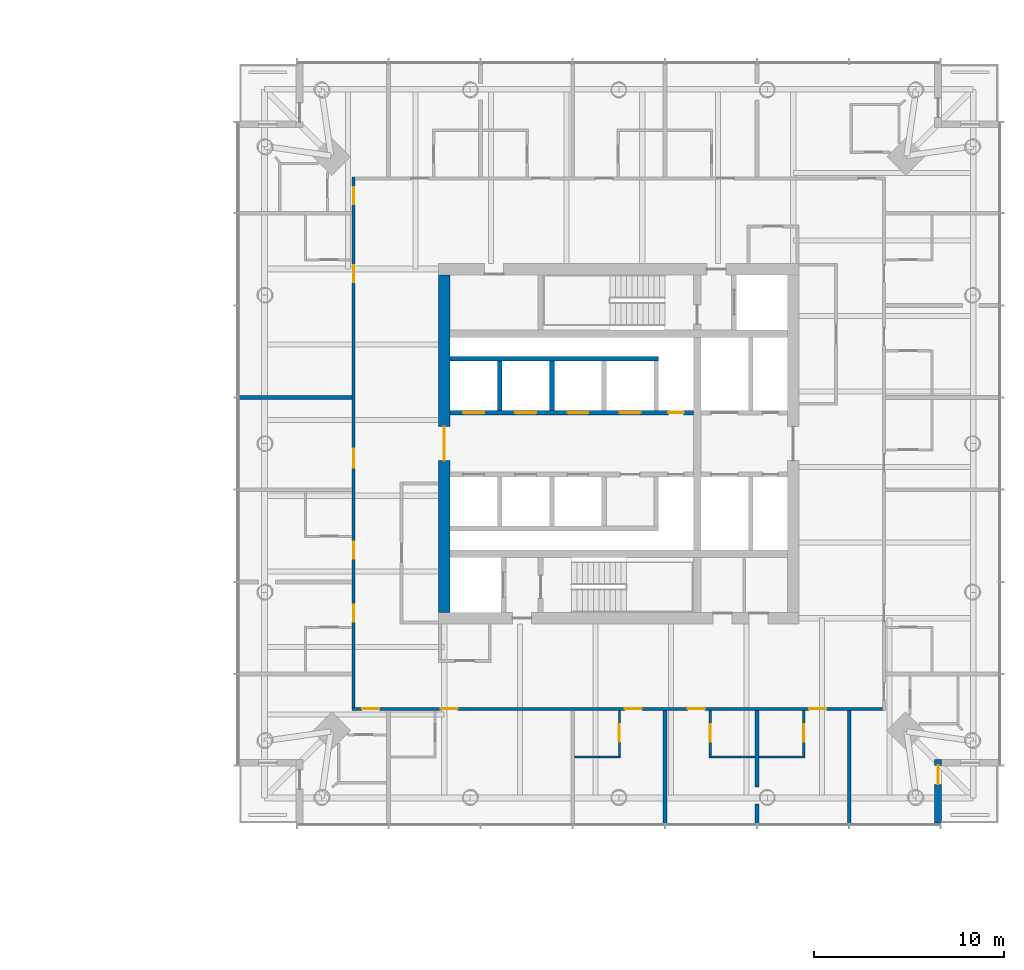
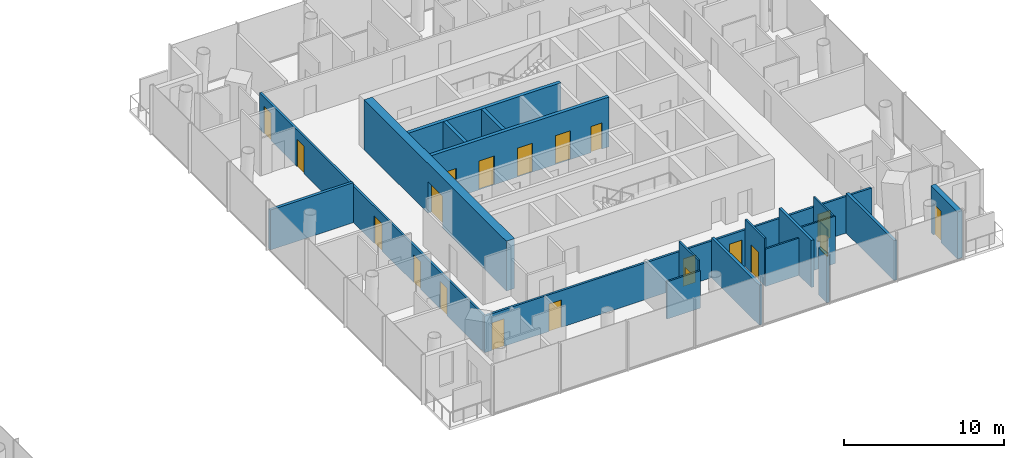
# One storey, part 14 of 20: 20 doors, 19 walls, 20 openings.
"""IFC4 building model written with IfcOpenShell, lengths in metres."""

from ifc_helpers import new_model, si_unit, direction, frame, frame_2d, origin, place, context, subcontext, project, spatial, rectangle, extrude, material, layer, layer_set, type_object, element, fill, save


model = new_model("IFC4")

# Units and contexts
model_context = context("Model", 3, precision=1e-05, world=origin(), true_north=direction((0.0, 1.0)))
body_context = subcontext(model_context, "Body", "Model", "MODEL_VIEW")
ifc_project = project(units=[si_unit("LENGTHUNIT", "METRE"), si_unit("AREAUNIT", "SQUARE_METRE"), si_unit("VOLUMEUNIT", "CUBIC_METRE"), si_unit("PLANEANGLEUNIT", "RADIAN"), si_unit("MASSUNIT", "GRAM", prefix="KILO")], contexts=[model_context])

# Site, building, storey
site_placement = place(None, origin())
site = spatial("IfcSite", under=ifc_project, at=site_placement, CompositionType="ELEMENT")
building_placement = place(site_placement, origin())
building = spatial("IfcBuilding", under=site, at=building_placement, Name="Ostroluk Exchange", CompositionType="ELEMENT")
storey_placement = place(building_placement, frame((0.0, 0.0, 28.60009765625)))
storey = spatial("IfcBuildingStorey", under=building, at=storey_placement, Name="L06", CompositionType="ELEMENT", Elevation=28.60009765625)

# Walls
ifc_material_1 = material(Name="Concrete C40/50", Category="concrete")
ifc_layer_1 = layer(ifc_material_1, 0.25)
ifc_layer_set_1 = layer_set([ifc_layer_1], Name="Core shaft wall 250")
wall_type_1 = type_object("IfcWallType", Name="Core shaft wall 250", PredefinedType="SHEAR", material=ifc_layer_set_1)
for number, where, z_axis, x_axis, name in (
    (1, (110.72509765625, 47.75, 0.0), (0.0, 0.0, 1.0), (0.0, 1.0, 0.0), "Lift shaft wall"),
    (2, (113.47509765625, 47.75, 0.0), (0.0, 0.0, 1.0), (0.0, 1.0, 0.0), "Lift shaft wall"),
):
    element("IfcWall", number, at=place(storey_placement, frame(where, z_axis=z_axis, x_axis=x_axis)), inside=storey, type_object=wall_type_1, Name=name, PredefinedType="SHEAR", context=body_context, shape_type="SweptSolid", body=[
        extrude(rectangle(XDim=2.60009765625, YDim=0.25, at=frame_2d((1.300048828125, 0.0))), origin(), (0.0, 0.0, 1.0), 3.7998046875),
    ])
wall_1_placement = place(storey_placement, frame((108.10009765625, 50.47509765625, 0.0), z_axis=(0.0, 0.0, 1.0), x_axis=(1.0, 0.0, 0.0)))
element("IfcWall", 3, at=wall_1_placement, inside=storey, type_object=wall_type_1, Name="Lift shaft wall", PredefinedType="SHEAR", context=body_context, shape_type="SweptSolid", body=[
    extrude(rectangle(XDim=11.0, YDim=0.25, at=frame_2d((5.5, 0.0))), origin(), (0.0, 0.0, 1.0), 3.7998046875),
])

# Wall, openings, doors
wall_2_placement = place(storey_placement, frame((108.10009765625, 47.625, 0.0), z_axis=(0.0, 0.0, 1.0), x_axis=(1.0, 0.0, 0.0)))
wall_2 = element("IfcWall", 4, at=wall_2_placement, inside=storey, type_object=wall_type_1, Name="Lift shaft front wall", PredefinedType="SHEAR", context=body_context, shape_type="SweptSolid", body=[
    extrude(rectangle(XDim=12.829833984375, YDim=0.25, at=frame_2d((6.4150390625, 0.0))), origin(), (0.0, 0.0, 1.0), 3.7998046875),
])
opening_1_placement = place(wall_2_placement, frame((0.699951171875, 0.0, 0.0)))
opening_1 = element("IfcOpeningElement", 5, at=opening_1_placement, cuts=wall_2, Name="Opening LD", PredefinedType="OPENING", context=body_context, shape_type="SweptSolid", body=[
    extrude(rectangle(XDim=1.10009765625, YDim=2.199951171875, at=frame_2d((0.550048828125, 1.10009765625))), frame((0.0, 0.135009765625, 0.0), z_axis=(0.0, -1.0, 0.0), x_axis=(1.0, 0.0, 0.0)), (0.0, 0.0, 1.0), 0.27001953125),
])
opening_2_placement = place(wall_2_placement, frame((3.449951171875, 0.0, 0.0)))
opening_2 = element("IfcOpeningElement", 6, at=opening_2_placement, cuts=wall_2, Name="Opening LD", PredefinedType="OPENING", context=body_context, shape_type="SweptSolid", body=[
    extrude(rectangle(XDim=1.10009765625, YDim=2.199951171875, at=frame_2d((0.550048828125, 1.10009765625))), frame((0.0, 0.135009765625, 0.0), z_axis=(0.0, -1.0, 0.0), x_axis=(1.0, 0.0, 0.0)), (0.0, 0.0, 1.0), 0.27001953125),
])
opening_3_placement = place(wall_2_placement, frame((6.199951171875, 0.0, 0.0)))
opening_3 = element("IfcOpeningElement", 7, at=opening_3_placement, cuts=wall_2, Name="Opening LD", PredefinedType="OPENING", context=body_context, shape_type="SweptSolid", body=[
    extrude(rectangle(XDim=1.10009765625, YDim=2.199951171875, at=frame_2d((0.550048828125, 1.10009765625))), frame((0.0, 0.135009765625, 0.0), z_axis=(0.0, -1.0, 0.0), x_axis=(1.0, 0.0, 0.0)), (0.0, 0.0, 1.0), 0.27001953125),
])
opening_4_placement = place(wall_2_placement, frame((8.949951171875, 0.0, 0.0)))
opening_4 = element("IfcOpeningElement", 8, at=opening_4_placement, cuts=wall_2, Name="Opening LD", PredefinedType="OPENING", context=body_context, shape_type="SweptSolid", body=[
    extrude(rectangle(XDim=1.10009765625, YDim=2.199951171875, at=frame_2d((0.550048828125, 1.10009765625))), frame((0.0, 0.135009765625, 0.0), z_axis=(0.0, -1.0, 0.0), x_axis=(1.0, 0.0, 0.0)), (0.0, 0.0, 1.0), 0.27001953125),
])
opening_5_placement = place(wall_2_placement, frame((11.514892578125, 0.0, 0.0)))
opening_5 = element("IfcOpeningElement", 9, at=opening_5_placement, cuts=wall_2, Name="Opening RD60", PredefinedType="OPENING", context=body_context, shape_type="SweptSolid", body=[
    extrude(rectangle(XDim=0.800048828125, YDim=2.0, at=frame_2d((0.39990234375, 1.0))), frame((0.0, 0.135009765625, 0.0), z_axis=(0.0, -1.0, 0.0), x_axis=(1.0, 0.0, 0.0)), (0.0, 0.0, 1.0), 0.27001953125),
])
ifc_material_2 = material(Name="Stainless steel", Category="steel")
door_type_1 = type_object("IfcDoorType", Name="Lift landing door E 60 1100 x 2200", OperationType="DOUBLE_DOOR_SLIDING", PredefinedType="DOOR", material=ifc_material_2)
door_1_placement = place(opening_1_placement, origin())
door_1 = element("IfcDoor", 10, at=door_1_placement, inside=storey, type_object=door_type_1, Name="Lift HL1 landing door", OperationType="DOUBLE_DOOR_SLIDING", OverallHeight=2.199951171875, OverallWidth=1.10009765625, PredefinedType="DOOR", context=body_context, shape_type="SweptSolid", body=[
    extrude(rectangle(XDim=1.10009765625, YDim=2.199951171875, at=frame_2d((0.550048828125, 1.10009765625))), frame((0.0, 0.02490234375, 0.0), z_axis=(0.0, -1.0, 0.0), x_axis=(1.0, 0.0, 0.0)), (0.0, 0.0, 1.0), 0.050048828125),
])
fill(opening_1, door_1)
door_2_placement = place(opening_2_placement, origin())
door_2 = element("IfcDoor", 11, at=door_2_placement, inside=storey, type_object=door_type_1, Name="Lift HL2 landing door", OperationType="DOUBLE_DOOR_SLIDING", OverallHeight=2.199951171875, OverallWidth=1.10009765625, PredefinedType="DOOR", context=body_context, shape_type="SweptSolid", body=[
    extrude(rectangle(XDim=1.10009765625, YDim=2.199951171875, at=frame_2d((0.550048828125, 1.10009765625))), frame((0.0, 0.02490234375, 0.0), z_axis=(0.0, -1.0, 0.0), x_axis=(1.0, 0.0, 0.0)), (0.0, 0.0, 1.0), 0.050048828125),
])
fill(opening_2, door_2)
door_3_placement = place(opening_3_placement, origin())
door_3 = element("IfcDoor", 12, at=door_3_placement, inside=storey, type_object=door_type_1, Name="Lift HL3 landing door", OperationType="DOUBLE_DOOR_SLIDING", OverallHeight=2.199951171875, OverallWidth=1.10009765625, PredefinedType="DOOR", context=body_context, shape_type="SweptSolid", body=[
    extrude(rectangle(XDim=1.10009765625, YDim=2.199951171875, at=frame_2d((0.550048828125, 1.10009765625))), frame((0.0, 0.02490234375, 0.0), z_axis=(0.0, -1.0, 0.0), x_axis=(1.0, 0.0, 0.0)), (0.0, 0.0, 1.0), 0.050048828125),
])
fill(opening_3, door_3)
door_4_placement = place(opening_4_placement, origin())
door_4 = element("IfcDoor", 13, at=door_4_placement, inside=storey, type_object=door_type_1, Name="Lift HL4 landing door", OperationType="DOUBLE_DOOR_SLIDING", OverallHeight=2.199951171875, OverallWidth=1.10009765625, PredefinedType="DOOR", context=body_context, shape_type="SweptSolid", body=[
    extrude(rectangle(XDim=1.10009765625, YDim=2.199951171875, at=frame_2d((0.550048828125, 1.10009765625))), frame((0.0, 0.02490234375, 0.0), z_axis=(0.0, -1.0, 0.0), x_axis=(1.0, 0.0, 0.0)), (0.0, 0.0, 1.0), 0.050048828125),
])
fill(opening_4, door_4)
ifc_material_3 = material(Name="Steel", Category="steel")
door_type_2 = type_object("IfcDoorType", Name="Riser access door EI 60 800 x 2000", OperationType="SINGLE_SWING_LEFT", PredefinedType="DOOR", material=ifc_material_3)
door_5_placement = place(opening_5_placement, origin())
door_5 = element("IfcDoor", 14, at=door_5_placement, inside=storey, type_object=door_type_2, Name="Riser access door", OperationType="SINGLE_SWING_RIGHT", OverallHeight=2.0, OverallWidth=0.800048828125, PredefinedType="DOOR", context=body_context, shape_type="SweptSolid", body=[
    extrude(rectangle(XDim=0.800048828125, YDim=2.0, at=frame_2d((0.39990234375, 1.0))), frame((0.0, 0.02490234375, 0.0), z_axis=(0.0, -1.0, 0.0), x_axis=(1.0, 0.0, 0.0)), (0.0, 0.0, 1.0), 0.050048828125),
])
fill(opening_5, door_5)

# Wall, opening, door
ifc_material_4 = material(Name="Concrete C50/60", Category="concrete")
ifc_layer_2 = layer(ifc_material_4, 0.60009765625)
ifc_layer_set_2 = layer_set([ifc_layer_2], Name="Core wall 600 C50/60")
wall_type_2 = type_object("IfcWallType", Name="Core wall 600 C50/60", PredefinedType="SHEAR", material=ifc_layer_set_2)
wall_3_placement = place(storey_placement, frame((107.800048828125, 37.10009765625, 0.0), z_axis=(0.0, 0.0, 1.0), x_axis=(0.0, 1.0, 0.0)))
wall_3 = element("IfcWall", 15, at=wall_3_placement, inside=storey, type_object=wall_type_2, Name="T2 core wall W", PredefinedType="SHEAR", context=body_context, shape_type="SweptSolid", body=[
    extrude(rectangle(XDim=17.7998046875, YDim=0.60009765625, at=frame_2d((8.89990234375, 0.0))), origin(), (0.0, 0.0, 1.0), 3.7998046875),
])
opening_6_placement = place(wall_3_placement, frame((8.0, 0.0, 0.0)))
opening_6 = element("IfcOpeningElement", 16, at=opening_6_placement, cuts=wall_3, Name="Opening FD30D", PredefinedType="OPENING", context=body_context, shape_type="SweptSolid", body=[
    extrude(rectangle(XDim=1.800048828125, YDim=2.39990234375, at=frame_2d((0.89990234375, 1.199951171875))), frame((0.0, 0.31005859375, 0.0), z_axis=(0.0, -1.0, 0.0), x_axis=(1.0, 0.0, 0.0)), (0.0, 0.0, 1.0), 0.6201171875),
])
ifc_material_5 = material(Name="Timber", Category="wood")
door_type_3 = type_object("IfcDoorType", Name="Lobby double door EI 30 1800 x 2400", OperationType="DOUBLE_DOOR_SINGLE_SWING", PredefinedType="DOOR", material=ifc_material_5)
door_6_placement = place(opening_6_placement, origin())
door_6 = element("IfcDoor", 17, at=door_6_placement, inside=storey, type_object=door_type_3, Name="Lift lobby doors", OperationType="DOUBLE_DOOR_SINGLE_SWING", OverallHeight=2.39990234375, OverallWidth=1.800048828125, PredefinedType="DOOR", context=body_context, shape_type="SweptSolid", body=[
    extrude(rectangle(XDim=1.800048828125, YDim=2.39990234375, at=frame_2d((0.89990234375, 1.199951171875))), frame((0.0, 0.02490234375, 0.0), z_axis=(0.0, -1.0, 0.0), x_axis=(1.0, 0.0, 0.0)), (0.0, 0.0, 1.0), 0.050048828125),
])
fill(opening_6, door_6)

ifc_material_6 = material(Name="Limestone", Category="masonry")
ifc_layer_3 = layer(ifc_material_6, 0.35009765625)
ifc_layer_set_3 = layer_set([ifc_layer_3], Name="Limestone facade wall 350")
wall_type_3 = type_object("IfcWallType", Name="Limestone facade wall 350", PredefinedType="SOLIDWALL", material=ifc_layer_set_3)
wall_4_placement = place(storey_placement, frame((133.824951171875, 26.0, 0.0), z_axis=(0.0, 0.0, 1.0), x_axis=(0.0, 1.0, 0.0)))
wall_4 = element("IfcWall", 18, at=wall_4_placement, inside=storey, type_object=wall_type_3, Name="Hotel tower SE corner wall L06 a", PredefinedType="SOLIDWALL", context=body_context, shape_type="SweptSolid", body=[
    extrude(rectangle(XDim=3.35009765625, YDim=0.35009765625, at=frame_2d((1.675048828125, 0.0))), origin(), (0.0, 0.0, 1.0), 3.599853515625),
])
opening_7_placement = place(wall_4_placement, frame((2.050048828125, 0.0, 0.0)))
opening_7 = element("IfcOpeningElement", 19, at=opening_7_placement, cuts=wall_4, Name="Opening D-B1", PredefinedType="OPENING", context=body_context, shape_type="SweptSolid", body=[
    extrude(rectangle(XDim=1.0, YDim=2.39990234375, at=frame_2d((0.5, 1.199951171875))), frame((0.0, 0.18505859375, 0.0), z_axis=(0.0, -1.0, 0.0), x_axis=(1.0, 0.0, 0.0)), (0.0, 0.0, 1.0), 0.3701171875),
])
ifc_material_7 = material(Name="Bronze framed glazed door", Category="aluminium")
door_type_4 = type_object("IfcDoorType", Name="Balcony door 1000 x 2400", OperationType="SINGLE_SWING_LEFT", PredefinedType="DOOR", material=ifc_material_7)
door_7_placement = place(opening_7_placement, origin())
door_7 = element("IfcDoor", 20, at=door_7_placement, inside=storey, type_object=door_type_4, Name="Hotel tower SE balcony door L06", OperationType="SINGLE_SWING_RIGHT", OverallHeight=2.39990234375, OverallWidth=1.0, PredefinedType="DOOR", context=body_context, shape_type="SweptSolid", body=[
    extrude(rectangle(XDim=1.0, YDim=2.39990234375, at=frame_2d((0.5, 1.199951171875))), frame((0.0, 0.02490234375, 0.0), z_axis=(0.0, -1.0, 0.0), x_axis=(1.0, 0.0, 0.0)), (0.0, 0.0, 1.0), 0.050048828125),
])
fill(opening_7, door_7)

# Wall
ifc_material_8 = material(Name="Gypsum plasterboard partition, moisture resistant", Category="gypsum")
ifc_layer_4 = layer(ifc_material_8, 0.1201171875)
ifc_layer_set_4 = layer_set([ifc_layer_4], Name="Plasterboard en-suite wall 120")
wall_type_4 = type_object("IfcWallType", Name="Plasterboard en-suite wall 120", PredefinedType="PARTITIONING", material=ifc_layer_set_4)
wall_5_placement = place(storey_placement, frame((114.67138671875, 29.489990234375, 0.0), z_axis=(0.0, 0.0, 1.0), x_axis=(1.0, 0.0, 0.0)))
element("IfcWall", 21, at=wall_5_placement, inside=storey, type_object=wall_type_4, Name="En-suite wall", PredefinedType="PARTITIONING", context=body_context, shape_type="SweptSolid", body=[
    extrude(rectangle(XDim=2.419921875, YDim=0.1201171875, at=frame_2d((1.2099609375, 0.0))), origin(), (0.0, 0.0, 1.0), 2.846923828125),
])

# Wall, opening, door
wall_6_placement = place(storey_placement, frame((117.031494140625, 31.949951171875, 0.0), z_axis=(0.0, 0.0, 1.0), x_axis=(0.0, -1.0, 0.0)))
wall_6 = element("IfcWall", 22, at=wall_6_placement, inside=storey, type_object=wall_type_4, Name="En-suite wall", PredefinedType="PARTITIONING", context=body_context, shape_type="SweptSolid", body=[
    extrude(rectangle(XDim=2.39990234375, YDim=0.1201171875, at=frame_2d((1.199951171875, 0.0))), origin(), (0.0, 0.0, 1.0), 3.599853515625),
])
opening_8_placement = place(wall_6_placement, frame((0.75, 0.0, 0.0)))
opening_8 = element("IfcOpeningElement", 23, at=opening_8_placement, cuts=wall_6, Name="Opening D-02", PredefinedType="OPENING", context=body_context, shape_type="SweptSolid", body=[
    extrude(rectangle(XDim=0.89990234375, YDim=2.10009765625, at=frame_2d((0.449951171875, 1.050048828125))), frame((0.0, 0.070068359375, 0.0), z_axis=(0.0, -1.0, 0.0), x_axis=(1.0, 0.0, 0.0)), (0.0, 0.0, 1.0), 0.14013671875),
])
ifc_material_9 = material(Name="Timber", Category="wood")
door_type_5 = type_object("IfcDoorType", Name="En-suite door 900 x 2100", OperationType="SINGLE_SWING_LEFT", PredefinedType="DOOR", material=ifc_material_9)
door_8_placement = place(opening_8_placement, origin())
door_8 = element("IfcDoor", 24, at=door_8_placement, inside=storey, type_object=door_type_5, Name="En-suite door 617", OperationType="SINGLE_SWING_RIGHT", OverallHeight=2.10009765625, OverallWidth=0.89990234375, PredefinedType="DOOR", context=body_context, shape_type="SweptSolid", body=[
    extrude(rectangle(XDim=0.89990234375, YDim=2.10009765625, at=frame_2d((0.449951171875, 1.050048828125))), frame((0.0, 0.02490234375, 0.0), z_axis=(0.0, -1.0, 0.0), x_axis=(1.0, 0.0, 0.0)), (0.0, 0.0, 1.0), 0.050048828125),
])
fill(opening_8, door_8)

# Wall
wall_7_placement = place(storey_placement, frame((121.765625, 29.489990234375, 0.0), z_axis=(0.0, 0.0, 1.0), x_axis=(1.0, 0.0, 0.0)))
element("IfcWall", 25, at=wall_7_placement, inside=storey, type_object=wall_type_4, Name="En-suite wall", PredefinedType="PARTITIONING", context=body_context, shape_type="SweptSolid", body=[
    extrude(rectangle(XDim=2.420166015625, YDim=0.1201171875, at=frame_2d((1.2099609375, 0.0))), origin(), (0.0, 0.0, 1.0), 2.846923828125),
])

# Wall, opening, door
wall_8_placement = place(storey_placement, frame((121.82568359375, 31.949951171875, 0.0), z_axis=(0.0, 0.0, 1.0), x_axis=(0.0, -1.0, 0.0)))
wall_8 = element("IfcWall", 26, at=wall_8_placement, inside=storey, type_object=wall_type_4, Name="En-suite wall", PredefinedType="PARTITIONING", context=body_context, shape_type="SweptSolid", body=[
    extrude(rectangle(XDim=2.39990234375, YDim=0.1201171875, at=frame_2d((1.199951171875, 0.0))), origin(), (0.0, 0.0, 1.0), 3.599853515625),
])
opening_9_placement = place(wall_8_placement, frame((0.75, 0.0, 0.0)))
opening_9 = element("IfcOpeningElement", 27, at=opening_9_placement, cuts=wall_8, Name="Opening D-02", PredefinedType="OPENING", context=body_context, shape_type="SweptSolid", body=[
    extrude(rectangle(XDim=0.89990234375, YDim=2.10009765625, at=frame_2d((0.449951171875, 1.050048828125))), frame((0.0, 0.070068359375, 0.0), z_axis=(0.0, -1.0, 0.0), x_axis=(1.0, 0.0, 0.0)), (0.0, 0.0, 1.0), 0.14013671875),
])
door_9_placement = place(opening_9_placement, origin())
door_9 = element("IfcDoor", 28, at=door_9_placement, inside=storey, type_object=door_type_5, Name="En-suite door 618", OperationType="SINGLE_SWING_RIGHT", OverallHeight=2.10009765625, OverallWidth=0.89990234375, PredefinedType="DOOR", context=body_context, shape_type="SweptSolid", body=[
    extrude(rectangle(XDim=0.89990234375, YDim=2.10009765625, at=frame_2d((0.449951171875, 1.050048828125))), frame((0.0, 0.02490234375, 0.0), z_axis=(0.0, -1.0, 0.0), x_axis=(1.0, 0.0, 0.0)), (0.0, 0.0, 1.0), 0.050048828125),
])
fill(opening_9, door_9)

# Wall
wall_9_placement = place(storey_placement, frame((124.3857421875, 29.489990234375, 0.0), z_axis=(0.0, 0.0, 1.0), x_axis=(1.0, 0.0, 0.0)))
element("IfcWall", 29, at=wall_9_placement, inside=storey, type_object=wall_type_4, Name="En-suite wall", PredefinedType="PARTITIONING", context=body_context, shape_type="SweptSolid", body=[
    extrude(rectangle(XDim=2.419921875, YDim=0.1201171875, at=frame_2d((1.2099609375, 0.0))), origin(), (0.0, 0.0, 1.0), 3.599853515625),
])

# Wall, opening, door
wall_10_placement = place(storey_placement, frame((126.74560546875, 31.949951171875, 0.0), z_axis=(0.0, 0.0, 1.0), x_axis=(0.0, -1.0, 0.0)))
wall_10 = element("IfcWall", 30, at=wall_10_placement, inside=storey, type_object=wall_type_4, Name="En-suite wall", PredefinedType="PARTITIONING", context=body_context, shape_type="SweptSolid", body=[
    extrude(rectangle(XDim=2.39990234375, YDim=0.1201171875, at=frame_2d((1.199951171875, 0.0))), origin(), (0.0, 0.0, 1.0), 3.599853515625),
])
opening_10_placement = place(wall_10_placement, frame((0.75, 0.0, 0.0)))
opening_10 = element("IfcOpeningElement", 31, at=opening_10_placement, cuts=wall_10, Name="Opening D-02", PredefinedType="OPENING", context=body_context, shape_type="SweptSolid", body=[
    extrude(rectangle(XDim=0.89990234375, YDim=2.10009765625, at=frame_2d((0.449951171875, 1.050048828125))), frame((0.0, 0.070068359375, 0.0), z_axis=(0.0, -1.0, 0.0), x_axis=(1.0, 0.0, 0.0)), (0.0, 0.0, 1.0), 0.14013671875),
])
door_10_placement = place(opening_10_placement, origin())
door_10 = element("IfcDoor", 32, at=door_10_placement, inside=storey, type_object=door_type_5, Name="En-suite door 619", OperationType="SINGLE_SWING_RIGHT", OverallHeight=2.10009765625, OverallWidth=0.89990234375, PredefinedType="DOOR", context=body_context, shape_type="SweptSolid", body=[
    extrude(rectangle(XDim=0.89990234375, YDim=2.10009765625, at=frame_2d((0.449951171875, 1.050048828125))), frame((0.0, 0.02490234375, 0.0), z_axis=(0.0, -1.0, 0.0), x_axis=(1.0, 0.0, 0.0)), (0.0, 0.0, 1.0), 0.050048828125),
])
fill(opening_10, door_10)

# Wall, openings, doors
ifc_material_10 = material(Name="Gypsum plasterboard partition", Category="gypsum")
ifc_layer_5 = layer(ifc_material_10, 0.14990234375)
ifc_layer_set_5 = layer_set([ifc_layer_5], Name="Plasterboard partition 150")
wall_type_5 = type_object("IfcWallType", Name="Plasterboard partition 150", PredefinedType="PARTITIONING", material=ifc_layer_set_5)
wall_11_placement = place(storey_placement, frame((103.02490234375, 60.050048828125, 0.0), z_axis=(0.0, 0.0, 1.0), x_axis=(0.0, -1.0, 0.0)))
wall_11 = element("IfcWall", 33, at=wall_11_placement, inside=storey, type_object=wall_type_5, Name="Corridor wall", PredefinedType="PARTITIONING", context=body_context, shape_type="SweptSolid", body=[
    extrude(rectangle(XDim=27.949951171875, YDim=0.14990234375, at=frame_2d((13.97509765625, 0.0))), origin(), (0.0, 0.0, 1.0), 2.7998046875),
])
opening_11_placement = place(wall_11_placement, frame((0.528564453125, 0.0, 0.0)))
opening_11 = element("IfcOpeningElement", 34, at=opening_11_placement, cuts=wall_11, Name="Opening D-01", PredefinedType="OPENING", context=body_context, shape_type="SweptSolid", body=[
    extrude(rectangle(XDim=0.89990234375, YDim=2.10009765625, at=frame_2d((0.449951171875, 1.050048828125))), frame((0.0, 0.0849609375, 0.0), z_axis=(0.0, -1.0, 0.0), x_axis=(1.0, 0.0, 0.0)), (0.0, 0.0, 1.0), 0.169921875),
])
opening_12_placement = place(wall_11_placement, frame((4.6572265625, 0.0, 0.0)))
opening_12 = element("IfcOpeningElement", 35, at=opening_12_placement, cuts=wall_11, Name="Opening D-01", PredefinedType="OPENING", context=body_context, shape_type="SweptSolid", body=[
    extrude(rectangle(XDim=0.89990234375, YDim=2.10009765625, at=frame_2d((0.449951171875, 1.050048828125))), frame((0.0, 0.0849609375, 0.0), z_axis=(0.0, -1.0, 0.0), x_axis=(1.0, 0.0, 0.0)), (0.0, 0.0, 1.0), 0.169921875),
])
opening_13_placement = place(wall_11_placement, frame((14.321533203125, 0.0, 0.0)))
opening_13 = element("IfcOpeningElement", 36, at=opening_13_placement, cuts=wall_11, Name="Opening D-03", PredefinedType="OPENING", context=body_context, shape_type="SweptSolid", body=[
    extrude(rectangle(XDim=1.0, YDim=2.10009765625, at=frame_2d((0.5, 1.050048828125))), frame((0.0, 0.0849609375, 0.0), z_axis=(0.0, -1.0, 0.0), x_axis=(1.0, 0.0, 0.0)), (0.0, 0.0, 1.0), 0.169921875),
])
opening_14_placement = place(wall_11_placement, frame((19.228515625, 0.0, 0.0)))
opening_14 = element("IfcOpeningElement", 37, at=opening_14_placement, cuts=wall_11, Name="Opening D-01", PredefinedType="OPENING", context=body_context, shape_type="SweptSolid", body=[
    extrude(rectangle(XDim=0.89990234375, YDim=2.10009765625, at=frame_2d((0.449951171875, 1.050048828125))), frame((0.0, 0.0849609375, 0.0), z_axis=(0.0, -1.0, 0.0), x_axis=(1.0, 0.0, 0.0)), (0.0, 0.0, 1.0), 0.169921875),
])
opening_15_placement = place(wall_11_placement, frame((22.54296875, 0.0, 0.0)))
opening_15 = element("IfcOpeningElement", 38, at=opening_15_placement, cuts=wall_11, Name="Opening D-01", PredefinedType="OPENING", context=body_context, shape_type="SweptSolid", body=[
    extrude(rectangle(XDim=0.89990234375, YDim=2.10009765625, at=frame_2d((0.449951171875, 1.050048828125))), frame((0.0, 0.0849609375, 0.0), z_axis=(0.0, -1.0, 0.0), x_axis=(1.0, 0.0, 0.0)), (0.0, 0.0, 1.0), 0.169921875),
])
ifc_material_11 = material(Name="Timber", Category="wood")
door_type_6 = type_object("IfcDoorType", Name="Hotel room door EI 30 Sa 900 x 2100", OperationType="SINGLE_SWING_LEFT", PredefinedType="DOOR", material=ifc_material_11)
door_11_placement = place(opening_11_placement, origin())
door_11 = element("IfcDoor", 39, at=door_11_placement, inside=storey, type_object=door_type_6, Name="Room door 611", OperationType="SINGLE_SWING_LEFT", OverallHeight=2.10009765625, OverallWidth=0.89990234375, PredefinedType="DOOR", context=body_context, shape_type="SweptSolid", body=[
    extrude(rectangle(XDim=0.89990234375, YDim=2.10009765625, at=frame_2d((0.449951171875, 1.050048828125))), frame((0.0, 0.02490234375, 0.0), z_axis=(0.0, -1.0, 0.0), x_axis=(1.0, 0.0, 0.0)), (0.0, 0.0, 1.0), 0.050048828125),
])
fill(opening_11, door_11)
door_12_placement = place(opening_12_placement, origin())
door_12 = element("IfcDoor", 40, at=door_12_placement, inside=storey, type_object=door_type_6, Name="Room door 612", OperationType="SINGLE_SWING_LEFT", OverallHeight=2.10009765625, OverallWidth=0.89990234375, PredefinedType="DOOR", context=body_context, shape_type="SweptSolid", body=[
    extrude(rectangle(XDim=0.89990234375, YDim=2.10009765625, at=frame_2d((0.449951171875, 1.050048828125))), frame((0.0, 0.02490234375, 0.0), z_axis=(0.0, -1.0, 0.0), x_axis=(1.0, 0.0, 0.0)), (0.0, 0.0, 1.0), 0.050048828125),
])
fill(opening_12, door_12)
door_13_placement = place(opening_14_placement, origin())
door_13 = element("IfcDoor", 41, at=door_13_placement, inside=storey, type_object=door_type_6, Name="Room door 613", OperationType="SINGLE_SWING_RIGHT", OverallHeight=2.10009765625, OverallWidth=0.89990234375, PredefinedType="DOOR", context=body_context, shape_type="SweptSolid", body=[
    extrude(rectangle(XDim=0.89990234375, YDim=2.10009765625, at=frame_2d((0.449951171875, 1.050048828125))), frame((0.0, 0.02490234375, 0.0), z_axis=(0.0, -1.0, 0.0), x_axis=(1.0, 0.0, 0.0)), (0.0, 0.0, 1.0), 0.050048828125),
])
fill(opening_14, door_13)
door_14_placement = place(opening_15_placement, origin())
door_14 = element("IfcDoor", 42, at=door_14_placement, inside=storey, type_object=door_type_6, Name="Room door 614", OperationType="SINGLE_SWING_RIGHT", OverallHeight=2.10009765625, OverallWidth=0.89990234375, PredefinedType="DOOR", context=body_context, shape_type="SweptSolid", body=[
    extrude(rectangle(XDim=0.89990234375, YDim=2.10009765625, at=frame_2d((0.449951171875, 1.050048828125))), frame((0.0, 0.02490234375, 0.0), z_axis=(0.0, -1.0, 0.0), x_axis=(1.0, 0.0, 0.0)), (0.0, 0.0, 1.0), 0.050048828125),
])
fill(opening_15, door_14)
ifc_material_12 = material(Name="Timber", Category="wood")
door_type_7 = type_object("IfcDoorType", Name="Internal door 1000 x 2100", OperationType="SINGLE_SWING_LEFT", PredefinedType="DOOR", material=ifc_material_12)
door_15_placement = place(opening_13_placement, origin())
door_15 = element("IfcDoor", 43, at=door_15_placement, inside=storey, type_object=door_type_7, Name="Housekeeping store door", OperationType="SINGLE_SWING_RIGHT", OverallHeight=2.10009765625, OverallWidth=1.0, PredefinedType="DOOR", context=body_context, shape_type="SweptSolid", body=[
    extrude(rectangle(XDim=1.0, YDim=2.10009765625, at=frame_2d((0.5, 1.050048828125))), frame((0.0, 0.02490234375, 0.0), z_axis=(0.0, -1.0, 0.0), x_axis=(1.0, 0.0, 0.0)), (0.0, 0.0, 1.0), 0.050048828125),
])
fill(opening_13, door_15)

wall_12_placement = place(storey_placement, frame((102.949951171875, 32.02490234375, 0.0), z_axis=(0.0, 0.0, 1.0), x_axis=(1.0, 0.0, 0.0)))
wall_12 = element("IfcWall", 44, at=wall_12_placement, inside=storey, type_object=wall_type_5, Name="Corridor wall", PredefinedType="PARTITIONING", context=body_context, shape_type="SweptSolid", body=[
    extrude(rectangle(XDim=27.949951171875, YDim=0.14990234375, at=frame_2d((13.97509765625, 0.0))), origin(), (0.0, 0.0, 1.0), 2.7998046875),
])
opening_16_placement = place(wall_12_placement, frame((0.528564453125, 0.0, 0.0)))
opening_16 = element("IfcOpeningElement", 45, at=opening_16_placement, cuts=wall_12, Name="Opening D-01", PredefinedType="OPENING", context=body_context, shape_type="SweptSolid", body=[
    extrude(rectangle(XDim=0.89990234375, YDim=2.10009765625, at=frame_2d((0.449951171875, 1.050048828125))), frame((0.0, 0.0849609375, 0.0), z_axis=(0.0, -1.0, 0.0), x_axis=(1.0, 0.0, 0.0)), (0.0, 0.0, 1.0), 0.169921875),
])
opening_17_placement = place(wall_12_placement, frame((4.6572265625, 0.0, 0.0)))
opening_17 = element("IfcOpeningElement", 46, at=opening_17_placement, cuts=wall_12, Name="Opening D-01", PredefinedType="OPENING", context=body_context, shape_type="SweptSolid", body=[
    extrude(rectangle(XDim=0.89990234375, YDim=2.10009765625, at=frame_2d((0.449951171875, 1.050048828125))), frame((0.0, 0.0849609375, 0.0), z_axis=(0.0, -1.0, 0.0), x_axis=(1.0, 0.0, 0.0)), (0.0, 0.0, 1.0), 0.169921875),
])
opening_18_placement = place(wall_12_placement, frame((14.371337890625, 0.0, 0.0)))
opening_18 = element("IfcOpeningElement", 47, at=opening_18_placement, cuts=wall_12, Name="Opening D-01", PredefinedType="OPENING", context=body_context, shape_type="SweptSolid", body=[
    extrude(rectangle(XDim=0.89990234375, YDim=2.10009765625, at=frame_2d((0.449951171875, 1.050048828125))), frame((0.0, 0.0849609375, 0.0), z_axis=(0.0, -1.0, 0.0), x_axis=(1.0, 0.0, 0.0)), (0.0, 0.0, 1.0), 0.169921875),
])
opening_19_placement = place(wall_12_placement, frame((17.685791015625, 0.0, 0.0)))
opening_19 = element("IfcOpeningElement", 48, at=opening_19_placement, cuts=wall_12, Name="Opening D-01", PredefinedType="OPENING", context=body_context, shape_type="SweptSolid", body=[
    extrude(rectangle(XDim=0.89990234375, YDim=2.10009765625, at=frame_2d((0.449951171875, 1.050048828125))), frame((0.0, 0.0849609375, 0.0), z_axis=(0.0, -1.0, 0.0), x_axis=(1.0, 0.0, 0.0)), (0.0, 0.0, 1.0), 0.169921875),
])
opening_20_placement = place(wall_12_placement, frame((24.085693359375, 0.0, 0.0)))
opening_20 = element("IfcOpeningElement", 49, at=opening_20_placement, cuts=wall_12, Name="Opening D-01", PredefinedType="OPENING", context=body_context, shape_type="SweptSolid", body=[
    extrude(rectangle(XDim=0.89990234375, YDim=2.10009765625, at=frame_2d((0.449951171875, 1.050048828125))), frame((0.0, 0.0849609375, 0.0), z_axis=(0.0, -1.0, 0.0), x_axis=(1.0, 0.0, 0.0)), (0.0, 0.0, 1.0), 0.169921875),
])
door_16_placement = place(opening_16_placement, origin())
door_16 = element("IfcDoor", 50, at=door_16_placement, inside=storey, type_object=door_type_6, Name="Room door 615", OperationType="SINGLE_SWING_LEFT", OverallHeight=2.10009765625, OverallWidth=0.89990234375, PredefinedType="DOOR", context=body_context, shape_type="SweptSolid", body=[
    extrude(rectangle(XDim=0.89990234375, YDim=2.10009765625, at=frame_2d((0.449951171875, 1.050048828125))), frame((0.0, 0.02490234375, 0.0), z_axis=(0.0, -1.0, 0.0), x_axis=(1.0, 0.0, 0.0)), (0.0, 0.0, 1.0), 0.050048828125),
])
fill(opening_16, door_16)
door_17_placement = place(opening_17_placement, origin())
door_17 = element("IfcDoor", 51, at=door_17_placement, inside=storey, type_object=door_type_6, Name="Room door 616", OperationType="SINGLE_SWING_LEFT", OverallHeight=2.10009765625, OverallWidth=0.89990234375, PredefinedType="DOOR", context=body_context, shape_type="SweptSolid", body=[
    extrude(rectangle(XDim=0.89990234375, YDim=2.10009765625, at=frame_2d((0.449951171875, 1.050048828125))), frame((0.0, 0.02490234375, 0.0), z_axis=(0.0, -1.0, 0.0), x_axis=(1.0, 0.0, 0.0)), (0.0, 0.0, 1.0), 0.050048828125),
])
fill(opening_17, door_17)
door_18_placement = place(opening_18_placement, origin())
door_18 = element("IfcDoor", 52, at=door_18_placement, inside=storey, type_object=door_type_6, Name="Room door 617", OperationType="SINGLE_SWING_RIGHT", OverallHeight=2.10009765625, OverallWidth=0.89990234375, PredefinedType="DOOR", context=body_context, shape_type="SweptSolid", body=[
    extrude(rectangle(XDim=0.89990234375, YDim=2.10009765625, at=frame_2d((0.449951171875, 1.050048828125))), frame((0.0, 0.02490234375, 0.0), z_axis=(0.0, -1.0, 0.0), x_axis=(1.0, 0.0, 0.0)), (0.0, 0.0, 1.0), 0.050048828125),
])
fill(opening_18, door_18)
door_19_placement = place(opening_19_placement, origin())
door_19 = element("IfcDoor", 53, at=door_19_placement, inside=storey, type_object=door_type_6, Name="Room door 618", OperationType="SINGLE_SWING_RIGHT", OverallHeight=2.10009765625, OverallWidth=0.89990234375, PredefinedType="DOOR", context=body_context, shape_type="SweptSolid", body=[
    extrude(rectangle(XDim=0.89990234375, YDim=2.10009765625, at=frame_2d((0.449951171875, 1.050048828125))), frame((0.0, 0.02490234375, 0.0), z_axis=(0.0, -1.0, 0.0), x_axis=(1.0, 0.0, 0.0)), (0.0, 0.0, 1.0), 0.050048828125),
])
fill(opening_19, door_19)
door_20_placement = place(opening_20_placement, origin())
door_20 = element("IfcDoor", 54, at=door_20_placement, inside=storey, type_object=door_type_6, Name="Room door 619", OperationType="SINGLE_SWING_RIGHT", OverallHeight=2.10009765625, OverallWidth=0.89990234375, PredefinedType="DOOR", context=body_context, shape_type="SweptSolid", body=[
    extrude(rectangle(XDim=0.89990234375, YDim=2.10009765625, at=frame_2d((0.449951171875, 1.050048828125))), frame((0.0, 0.02490234375, 0.0), z_axis=(0.0, -1.0, 0.0), x_axis=(1.0, 0.0, 0.0)), (0.0, 0.0, 1.0), 0.050048828125),
])
fill(opening_20, door_20)

# Walls
ifc_material_13 = material(Name="Gypsum plasterboard partition", Category="gypsum")
ifc_layer_6 = layer(ifc_material_13, 0.199951171875)
ifc_layer_set_6 = layer_set([ifc_layer_6], Name="Plasterboard party wall 200")
wall_type_6 = type_object("IfcWallType", Name="Plasterboard party wall 200", PredefinedType="PARTITIONING", material=ifc_layer_set_6)
for number, where, z_axis, x_axis, name in (
    (55, (102.949951171875, 48.428466796875, 0.0), (0.0, 0.0, 1.0), (-1.0, 0.0, 0.0), "Party wall"),
    (56, (119.428466796875, 31.949951171875, 0.0), (0.0, 0.0, 1.0), (0.0, -1.0, 0.0), "Party wall"),
):
    element("IfcWall", number, at=place(storey_placement, frame(where, z_axis=z_axis, x_axis=x_axis)), inside=storey, type_object=wall_type_6, Name=name, PredefinedType="PARTITIONING", context=body_context, shape_type="SweptSolid", body=[
        extrude(rectangle(XDim=5.989990234375, YDim=0.199951171875, at=frame_2d((2.9951171875, 0.0))), origin(), (0.0, 0.0, 1.0), 3.0498046875),
    ])
wall_13_placement = place(storey_placement, frame((124.28564453125, 31.949951171875, 0.0), z_axis=(0.0, 0.0, 1.0), x_axis=(0.0, -1.0, 0.0)))
element("IfcWall", 57, at=wall_13_placement, inside=storey, type_object=wall_type_6, Name="Party wall", PredefinedType="PARTITIONING", context=body_context, shape_type="SweptSolid", body=[
    extrude(rectangle(XDim=4.052001953125, YDim=0.199951171875, at=frame_2d((2.02587890625, 0.0))), origin(), (0.0, 0.0, 1.0), 3.599853515625),
])
wall_14_placement = place(storey_placement, frame((124.28564453125, 27.009033203125, 0.0), z_axis=(0.0, 0.0, 1.0), x_axis=(0.0, -1.0, 0.0)))
element("IfcWall", 58, at=wall_14_placement, inside=storey, type_object=wall_type_6, Name="Party wall", PredefinedType="PARTITIONING", context=body_context, shape_type="SweptSolid", body=[
    extrude(rectangle(XDim=1.049072265625, YDim=0.199951171875, at=frame_2d((0.5244140625, 0.0))), origin(), (0.0, 0.0, 1.0), 3.599853515625),
])
wall_15_placement = place(storey_placement, frame((129.142822265625, 31.949951171875, 0.0), z_axis=(0.0, 0.0, 1.0), x_axis=(0.0, -1.0, 0.0)))
element("IfcWall", 59, at=wall_15_placement, inside=storey, type_object=wall_type_6, Name="Party wall", PredefinedType="PARTITIONING", context=body_context, shape_type="SweptSolid", body=[
    extrude(rectangle(XDim=5.989990234375, YDim=0.199951171875, at=frame_2d((2.9951171875, 0.0))), origin(), (0.0, 0.0, 1.0), 3.0498046875),
])

save(model, "model.ifc")
